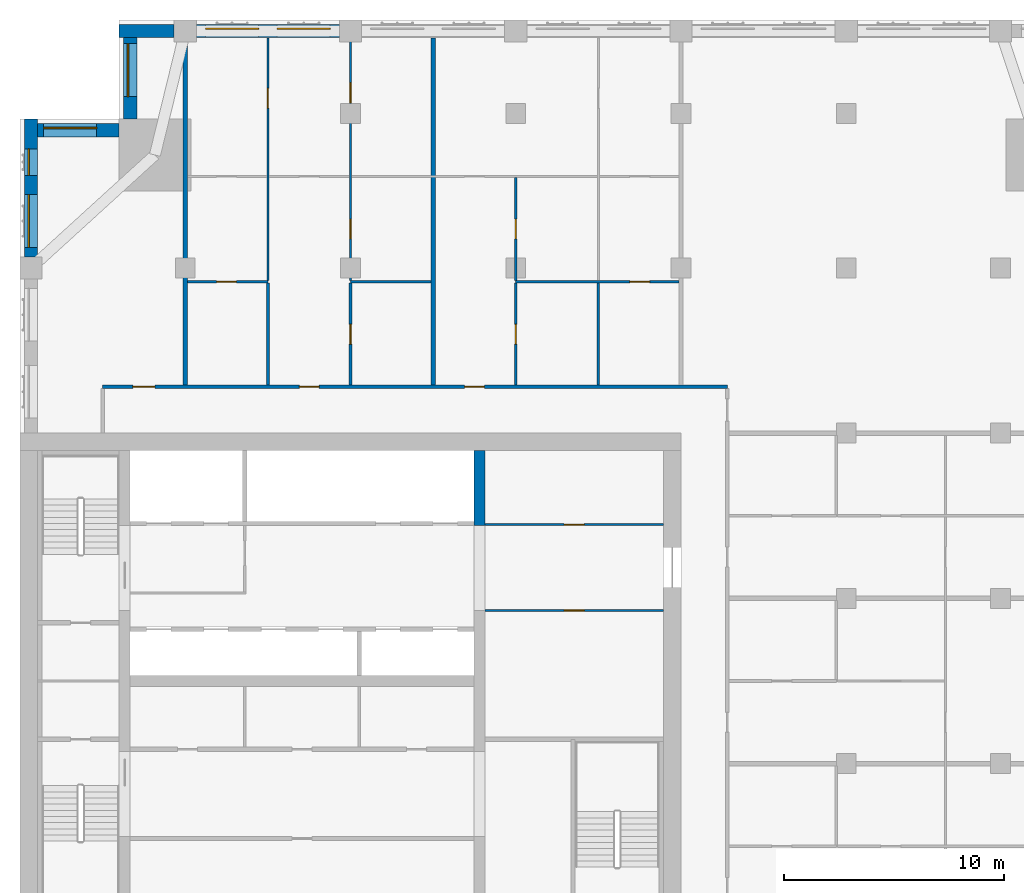
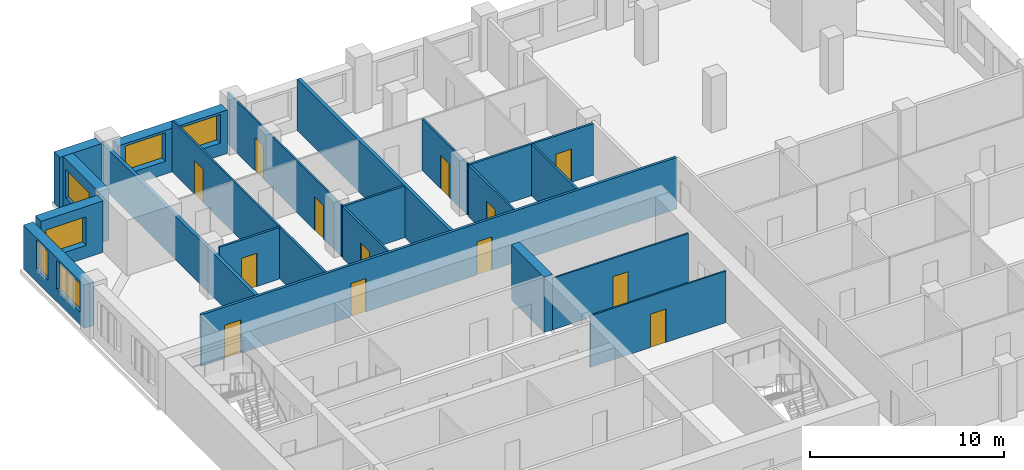
# One storey, part 10 of 14: 21 walls, 13 doors, 6 windows, 19 openings.
"""IFC4 building model written with IfcOpenShell, lengths in metres."""

from ifc_helpers import new_model, si_unit, direction, frame, frame_2d, origin, place, context, subcontext, project, spatial, rectangle, extrude, material, layer, layer_set, type_object, element, fill, save


model = new_model("IFC4")

# Units and contexts
model_context = context("Model", 3, precision=1e-05, world=origin(), true_north=direction((0.0, 1.0)))
body_context = subcontext(model_context, "Body", "Model", "MODEL_VIEW")
ifc_project = project(units=[si_unit("LENGTHUNIT", "METRE"), si_unit("AREAUNIT", "SQUARE_METRE"), si_unit("VOLUMEUNIT", "CUBIC_METRE"), si_unit("PLANEANGLEUNIT", "RADIAN"), si_unit("MASSUNIT", "GRAM", prefix="KILO")], contexts=[model_context])

# Site, building, storey
site_placement = place(None, origin())
site = spatial("IfcSite", under=ifc_project, at=site_placement, CompositionType="ELEMENT")
building_placement = place(site_placement, origin())
building = spatial("IfcBuilding", under=site, at=building_placement, Name="Tamorin Gate", CompositionType="ELEMENT")
storey_placement = place(building_placement, frame((0.0, 0.0, 182.699951171875)))
storey = spatial("IfcBuildingStorey", under=building, at=storey_placement, Name="L44", CompositionType="ELEMENT", Elevation=182.699951171875)

# Wall, openings, windows
ifc_material_1 = material(Name="Precast concrete C40/50", Category="concrete")
ifc_layer_1 = layer(ifc_material_1, 0.60009765625)
ifc_layer_set_1 = layer_set([ifc_layer_1], Name="Precast concrete C40/50")
wall_type_1 = type_object("IfcWallType", Name="Board-marked concrete facade panel 600", PredefinedType="SOLIDWALL", material=ifc_layer_set_1)
wall_1_placement = place(storey_placement, frame((44.5, 100.75, 0.0), z_axis=(0.0, 0.0, 1.0), x_axis=(-1.0, 0.0, 0.0)))
wall_1 = element("IfcWall", 1, at=wall_1_placement, inside=storey, type_object=wall_type_1, Name="Facade panel", PredefinedType="SOLIDWALL", context=body_context, shape_type="SweptSolid", body=[
    extrude(rectangle(XDim=6.5, YDim=0.60009765625, at=frame_2d((3.25, 0.0))), origin(), (0.0, 0.0, 1.0), 2.75),
])
opening_1_placement = place(wall_1_placement, frame((3.675048828125, 0.0, 0.800048828125)))
opening_1 = element("IfcOpeningElement", 2, at=opening_1_placement, cuts=wall_1, Name="Opening WN1", PredefinedType="OPENING", context=body_context, shape_type="SweptSolid", body=[
    extrude(rectangle(XDim=2.39990234375, YDim=1.800048828125, at=frame_2d((1.199951171875, 0.89990234375))), frame((0.0, 0.31005859375, 0.0), z_axis=(0.0, -1.0, 0.0), x_axis=(1.0, 0.0, 0.0)), (0.0, 0.0, 1.0), 0.6201171875),
])
opening_2_placement = place(wall_1_placement, frame((0.425048828125, 0.0, 0.800048828125)))
opening_2 = element("IfcOpeningElement", 3, at=opening_2_placement, cuts=wall_1, Name="Opening WN1", PredefinedType="OPENING", context=body_context, shape_type="SweptSolid", body=[
    extrude(rectangle(XDim=2.39990234375, YDim=1.800048828125, at=frame_2d((1.199951171875, 0.89990234375))), frame((0.0, 0.31005859375, 0.0), z_axis=(0.0, -1.0, 0.0), x_axis=(1.0, 0.0, 0.0)), (0.0, 0.0, 1.0), 0.6201171875),
])
ifc_material_2 = material(Name="Clear glass in aluminium frame", Category="aluminium")
window_type_1 = type_object("IfcWindowType", Name="Deep-set window 2400x1800", PartitioningType="SINGLE_PANEL", PredefinedType="WINDOW", material=ifc_material_2)
window_1_placement = place(opening_1_placement, origin())
window_1 = element("IfcWindow", 4, at=window_1_placement, inside=storey, type_object=window_type_1, Name="Deep-set window", OverallHeight=1.800048828125, OverallWidth=2.39990234375, PartitioningType="SINGLE_PANEL", PredefinedType="WINDOW", context=body_context, shape_type="SweptSolid", body=[
    extrude(rectangle(XDim=2.39990234375, YDim=1.800048828125, at=frame_2d((1.199951171875, 0.89990234375))), frame((0.0, -0.070068359375, 0.0), z_axis=(0.0, -1.0, 0.0), x_axis=(1.0, 0.0, 0.0)), (0.0, 0.0, 1.0), 0.06005859375),
])
fill(opening_1, window_1)
window_2_placement = place(opening_2_placement, origin())
window_2 = element("IfcWindow", 5, at=window_2_placement, inside=storey, type_object=window_type_1, Name="Deep-set window", OverallHeight=1.800048828125, OverallWidth=2.39990234375, PartitioningType="SINGLE_PANEL", PredefinedType="WINDOW", context=body_context, shape_type="SweptSolid", body=[
    extrude(rectangle(XDim=2.39990234375, YDim=1.800048828125, at=frame_2d((1.199951171875, 0.89990234375))), frame((0.0, -0.070068359375, 0.0), z_axis=(0.0, -1.0, 0.0), x_axis=(1.0, 0.0, 0.0)), (0.0, 0.0, 1.0), 0.06005859375),
])
fill(opening_2, window_2)

# Wall
wall_2_placement = place(storey_placement, frame((37.0, 100.75, 0.0), z_axis=(0.0, 0.0, 1.0), x_axis=(-1.0, 0.0, 0.0)))
element("IfcWall", 6, at=wall_2_placement, inside=storey, type_object=wall_type_1, Name="Facade panel", PredefinedType="SOLIDWALL", context=body_context, shape_type="SweptSolid", body=[
    extrude(rectangle(XDim=2.5, YDim=0.60009765625, at=frame_2d((1.25, 0.0))), origin(), (0.0, 0.0, 1.0), 3.25),
])

# Wall, opening, window
wall_3_placement = place(storey_placement, frame((35.0, 100.449951171875, 0.0), z_axis=(0.0, 0.0, 1.0), x_axis=(0.0, -1.0, 0.0)))
wall_3 = element("IfcWall", 7, at=wall_3_placement, inside=storey, type_object=wall_type_1, Name="Facade panel", PredefinedType="SOLIDWALL", context=body_context, shape_type="SweptSolid", body=[
    extrude(rectangle(XDim=3.699951171875, YDim=0.60009765625, at=frame_2d((1.85009765625, 0.0))), origin(), (0.0, 0.0, 1.0), 3.25),
])
opening_3_placement = place(wall_3_placement, frame((0.27490234375, 0.0, 0.800048828125)))
opening_3 = element("IfcOpeningElement", 8, at=opening_3_placement, cuts=wall_3, Name="Opening WN1", PredefinedType="OPENING", context=body_context, shape_type="SweptSolid", body=[
    extrude(rectangle(XDim=2.39990234375, YDim=1.800048828125, at=frame_2d((1.199951171875, 0.89990234375))), frame((0.0, 0.31005859375, 0.0), z_axis=(0.0, -1.0, 0.0), x_axis=(1.0, 0.0, 0.0)), (0.0, 0.0, 1.0), 0.6201171875),
])
window_3_placement = place(opening_3_placement, origin())
window_3 = element("IfcWindow", 9, at=window_3_placement, inside=storey, type_object=window_type_1, Name="Deep-set window", OverallHeight=1.800048828125, OverallWidth=2.39990234375, PartitioningType="SINGLE_PANEL", PredefinedType="WINDOW", context=body_context, shape_type="SweptSolid", body=[
    extrude(rectangle(XDim=2.39990234375, YDim=1.800048828125, at=frame_2d((1.199951171875, 0.89990234375))), frame((0.0, -0.070068359375, 0.0), z_axis=(0.0, -1.0, 0.0), x_axis=(1.0, 0.0, 0.0)), (0.0, 0.0, 1.0), 0.06005859375),
])
fill(opening_3, window_3)

wall_4_placement = place(storey_placement, frame((34.5, 96.25, 0.0), z_axis=(0.0, 0.0, 1.0), x_axis=(-1.0, 0.0, 0.0)))
wall_4 = element("IfcWall", 10, at=wall_4_placement, inside=storey, type_object=wall_type_1, Name="Facade panel", PredefinedType="SOLIDWALL", context=body_context, shape_type="SweptSolid", body=[
    extrude(rectangle(XDim=3.699951171875, YDim=0.60009765625, at=frame_2d((1.85009765625, 0.0))), origin(), (0.0, 0.0, 1.0), 3.25),
])
opening_4_placement = place(wall_4_placement, frame((1.02490234375, 0.0, 0.800048828125)))
opening_4 = element("IfcOpeningElement", 11, at=opening_4_placement, cuts=wall_4, Name="Opening WN1", PredefinedType="OPENING", context=body_context, shape_type="SweptSolid", body=[
    extrude(rectangle(XDim=2.39990234375, YDim=1.800048828125, at=frame_2d((1.199951171875, 0.89990234375))), frame((0.0, 0.31005859375, 0.0), z_axis=(0.0, -1.0, 0.0), x_axis=(1.0, 0.0, 0.0)), (0.0, 0.0, 1.0), 0.6201171875),
])
window_4_placement = place(opening_4_placement, origin())
window_4 = element("IfcWindow", 12, at=window_4_placement, inside=storey, type_object=window_type_1, Name="Deep-set window", OverallHeight=1.800048828125, OverallWidth=2.39990234375, PartitioningType="SINGLE_PANEL", PredefinedType="WINDOW", context=body_context, shape_type="SweptSolid", body=[
    extrude(rectangle(XDim=2.39990234375, YDim=1.800048828125, at=frame_2d((1.199951171875, 0.89990234375))), frame((0.0, -0.070068359375, 0.0), z_axis=(0.0, -1.0, 0.0), x_axis=(1.0, 0.0, 0.0)), (0.0, 0.0, 1.0), 0.06005859375),
])
fill(opening_4, window_4)

# Wall, openings, windows
wall_5_placement = place(storey_placement, frame((30.5, 96.75, 0.0), z_axis=(0.0, 0.0, 1.0), x_axis=(0.0, -1.0, 0.0)))
wall_5 = element("IfcWall", 13, at=wall_5_placement, inside=storey, type_object=wall_type_1, Name="Facade panel", PredefinedType="SOLIDWALL", context=body_context, shape_type="SweptSolid", body=[
    extrude(rectangle(XDim=6.25, YDim=0.60009765625, at=frame_2d((3.125, 0.0))), origin(), (0.0, 0.0, 1.0), 2.75),
])
opening_5_placement = place(wall_5_placement, frame((3.425048828125, 0.0, 0.800048828125)))
opening_5 = element("IfcOpeningElement", 14, at=opening_5_placement, cuts=wall_5, Name="Opening WN1", PredefinedType="OPENING", context=body_context, shape_type="SweptSolid", body=[
    extrude(rectangle(XDim=2.39990234375, YDim=1.800048828125, at=frame_2d((1.199951171875, 0.89990234375))), frame((0.0, 0.31005859375, 0.0), z_axis=(0.0, -1.0, 0.0), x_axis=(1.0, 0.0, 0.0)), (0.0, 0.0, 1.0), 0.6201171875),
])
opening_6_placement = place(wall_5_placement, frame((1.35009765625, 0.0, 0.800048828125)))
opening_6 = element("IfcOpeningElement", 15, at=opening_6_placement, cuts=wall_5, Name="Opening WN3", PredefinedType="OPENING", context=body_context, shape_type="SweptSolid", body=[
    extrude(rectangle(XDim=1.199951171875, YDim=1.800048828125, at=frame_2d((0.60009765625, 0.89990234375))), frame((0.0, 0.31005859375, 0.0), z_axis=(0.0, -1.0, 0.0), x_axis=(1.0, 0.0, 0.0)), (0.0, 0.0, 1.0), 0.6201171875),
])
window_type_2 = type_object("IfcWindowType", Name="Deep-set window 1200x1800", PartitioningType="SINGLE_PANEL", PredefinedType="WINDOW", material=ifc_material_2)
window_5_placement = place(opening_6_placement, origin())
window_5 = element("IfcWindow", 16, at=window_5_placement, inside=storey, type_object=window_type_2, Name="Deep-set window", OverallHeight=1.800048828125, OverallWidth=1.199951171875, PartitioningType="SINGLE_PANEL", PredefinedType="WINDOW", context=body_context, shape_type="SweptSolid", body=[
    extrude(rectangle(XDim=1.199951171875, YDim=1.800048828125, at=frame_2d((0.60009765625, 0.89990234375))), frame((0.0, -0.070068359375, 0.0), z_axis=(0.0, -1.0, 0.0), x_axis=(1.0, 0.0, 0.0)), (0.0, 0.0, 1.0), 0.06005859375),
])
fill(opening_6, window_5)
window_6_placement = place(opening_5_placement, origin())
window_6 = element("IfcWindow", 17, at=window_6_placement, inside=storey, type_object=window_type_1, Name="Deep-set window", OverallHeight=1.800048828125, OverallWidth=2.39990234375, PartitioningType="SINGLE_PANEL", PredefinedType="WINDOW", context=body_context, shape_type="SweptSolid", body=[
    extrude(rectangle(XDim=2.39990234375, YDim=1.800048828125, at=frame_2d((1.199951171875, 0.89990234375))), frame((0.0, -0.070068359375, 0.0), z_axis=(0.0, -1.0, 0.0), x_axis=(1.0, 0.0, 0.0)), (0.0, 0.0, 1.0), 0.06005859375),
])
fill(opening_5, window_6)

# Wall, openings, doors
ifc_material_3 = material(Name="Gypsum board partition")
ifc_layer_2 = layer(ifc_material_3, 0.14990234375)
ifc_layer_set_2 = layer_set([ifc_layer_2], Name="Corridor wall 150")
wall_type_2 = type_object("IfcWallType", Name="Corridor wall 150", PredefinedType="PARTITIONING", material=ifc_layer_set_2)
wall_6_placement = place(storey_placement, frame((33.75, 84.60009765625, 0.0), z_axis=(0.0, 0.0, 1.0), x_axis=(1.0, 0.0, 0.0)))
wall_6 = element("IfcWall", 18, at=wall_6_placement, inside=storey, type_object=wall_type_2, Name="Corridor wall 150", PredefinedType="PARTITIONING", context=body_context, shape_type="SweptSolid", body=[
    extrude(rectangle(XDim=28.35009765625, YDim=0.14990234375, at=frame_2d((14.175048828125, 0.0))), origin(), (0.0, 0.0, 1.0), 3.25),
])
opening_7_placement = place(wall_6_placement, frame((1.375, 0.0, 0.0)))
opening_7 = element("IfcOpeningElement", 19, at=opening_7_placement, cuts=wall_6, Name="Opening DR2019", PredefinedType="OPENING", context=body_context, shape_type="SweptSolid", body=[
    extrude(rectangle(XDim=1.0, YDim=2.10009765625, at=frame_2d((0.5, 1.050048828125))), frame((0.0, 0.0849609375, 0.0), z_axis=(0.0, -1.0, 0.0), x_axis=(1.0, 0.0, 0.0)), (0.0, 0.0, 1.0), 0.169921875),
])
opening_8_placement = place(wall_6_placement, frame((8.925048828125, 0.0, 0.0)))
opening_8 = element("IfcOpeningElement", 20, at=opening_8_placement, cuts=wall_6, Name="Opening DR2022", PredefinedType="OPENING", context=body_context, shape_type="SweptSolid", body=[
    extrude(rectangle(XDim=0.89990234375, YDim=2.10009765625, at=frame_2d((0.449951171875, 1.050048828125))), frame((0.0, 0.0849609375, 0.0), z_axis=(0.0, -1.0, 0.0), x_axis=(1.0, 0.0, 0.0)), (0.0, 0.0, 1.0), 0.169921875),
])
opening_9_placement = place(wall_6_placement, frame((16.425048828125, 0.0, 0.0)))
opening_9 = element("IfcOpeningElement", 21, at=opening_9_placement, cuts=wall_6, Name="Opening DR2028", PredefinedType="OPENING", context=body_context, shape_type="SweptSolid", body=[
    extrude(rectangle(XDim=0.89990234375, YDim=2.10009765625, at=frame_2d((0.449951171875, 1.050048828125))), frame((0.0, 0.0849609375, 0.0), z_axis=(0.0, -1.0, 0.0), x_axis=(1.0, 0.0, 0.0)), (0.0, 0.0, 1.0), 0.169921875),
])
ifc_material_4 = material(Name="Timber door leaf", Category="wood")
door_type_1 = type_object("IfcDoorType", Name="Door 1000 x 2100 FD30S", OperationType="NOTDEFINED", PredefinedType="DOOR", material=ifc_material_4)
door_1_placement = place(opening_7_placement, origin())
door_1 = element("IfcDoor", 22, at=door_1_placement, inside=storey, type_object=door_type_1, Name="Door DR2019", OperationType="SINGLE_SWING_LEFT", OverallHeight=2.10009765625, OverallWidth=1.0, PredefinedType="DOOR", context=body_context, shape_type="SweptSolid", body=[
    extrude(rectangle(XDim=1.0, YDim=2.10009765625, at=frame_2d((0.5, 1.050048828125))), frame((0.0, 0.02490234375, 0.0), z_axis=(0.0, -1.0, 0.0), x_axis=(1.0, 0.0, 0.0)), (0.0, 0.0, 1.0), 0.050048828125),
])
fill(opening_7, door_1)
door_type_2 = type_object("IfcDoorType", Name="Door 900 x 2100 FD30S", OperationType="NOTDEFINED", PredefinedType="DOOR", material=ifc_material_4)
door_2_placement = place(opening_8_placement, origin())
door_2 = element("IfcDoor", 23, at=door_2_placement, inside=storey, type_object=door_type_2, Name="Door DR2022", OperationType="SINGLE_SWING_LEFT", OverallHeight=2.10009765625, OverallWidth=0.89990234375, PredefinedType="DOOR", context=body_context, shape_type="SweptSolid", body=[
    extrude(rectangle(XDim=0.89990234375, YDim=2.10009765625, at=frame_2d((0.449951171875, 1.050048828125))), frame((0.0, 0.02490234375, 0.0), z_axis=(0.0, -1.0, 0.0), x_axis=(1.0, 0.0, 0.0)), (0.0, 0.0, 1.0), 0.050048828125),
])
fill(opening_8, door_2)
door_3_placement = place(opening_9_placement, origin())
door_3 = element("IfcDoor", 24, at=door_3_placement, inside=storey, type_object=door_type_2, Name="Door DR2028", OperationType="SINGLE_SWING_LEFT", OverallHeight=2.10009765625, OverallWidth=0.89990234375, PredefinedType="DOOR", context=body_context, shape_type="SweptSolid", body=[
    extrude(rectangle(XDim=0.89990234375, YDim=2.10009765625, at=frame_2d((0.449951171875, 1.050048828125))), frame((0.0, 0.02490234375, 0.0), z_axis=(0.0, -1.0, 0.0), x_axis=(1.0, 0.0, 0.0)), (0.0, 0.0, 1.0), 0.050048828125),
])
fill(opening_9, door_3)

# Walls
ifc_layer_3 = layer(ifc_material_3, 0.199951171875)
ifc_layer_set_3 = layer_set([ifc_layer_3], Name="Demising wall 200")
wall_type_3 = type_object("IfcWallType", Name="Demising wall 200", PredefinedType="PARTITIONING", material=ifc_layer_set_3)
wall_7_placement = place(storey_placement, frame((37.5, 84.675048828125, 0.0), z_axis=(0.0, 0.0, 1.0), x_axis=(0.0, 1.0, 0.0)))
element("IfcWall", 25, at=wall_7_placement, inside=storey, type_object=wall_type_3, Name="Demising wall 200", PredefinedType="PARTITIONING", context=body_context, shape_type="SweptSolid", body=[
    extrude(rectangle(XDim=16.574951171875, YDim=0.199951171875, at=frame_2d((8.28759765625, 0.0))), origin(), (0.0, 0.0, 1.0), 2.75),
])
wall_8_placement = place(storey_placement, frame((48.75, 84.675048828125, 0.0), z_axis=(0.0, 0.0, 1.0), x_axis=(0.0, 1.0, 0.0)))
element("IfcWall", 26, at=wall_8_placement, inside=storey, type_object=wall_type_3, Name="Demising wall 200", PredefinedType="PARTITIONING", context=body_context, shape_type="SweptSolid", body=[
    extrude(rectangle(XDim=15.764892578125, YDim=0.199951171875, at=frame_2d((7.88232421875, 0.0))), origin(), (0.0, 0.0, 1.0), 3.25),
])
ifc_material_5 = material(Name="Concrete C60/75", Category="concrete")
ifc_layer_4 = layer(ifc_material_5, 0.5)
ifc_layer_set_4 = layer_set([ifc_layer_4], Name="RC core internal wall 500 C60/75")
wall_type_4 = type_object("IfcWallType", Name="RC core internal wall 500 C60/75", PredefinedType="SHEAR", material=ifc_layer_set_4)
wall_9_placement = place(storey_placement, frame((50.85009765625, 78.300048828125, 0.0), z_axis=(0.0, 0.0, 1.0), x_axis=(0.0, 1.0, 0.0)))
element("IfcWall", 27, at=wall_9_placement, inside=storey, type_object=wall_type_4, Name="Core cross wall L44", PredefinedType="SHEAR", context=body_context, shape_type="SweptSolid", body=[
    extrude(rectangle(XDim=3.39990234375, YDim=0.5, at=frame_2d((1.699951171875, 0.0))), origin(), (0.0, 0.0, 1.0), 3.5),
])

# Wall, opening, door
ifc_layer_5 = layer(ifc_material_3, 0.10009765625)
ifc_layer_set_5 = layer_set([ifc_layer_5], Name="Room partition 100")
wall_type_5 = type_object("IfcWallType", Name="Room partition 100", PredefinedType="PARTITIONING", material=ifc_layer_set_5)
wall_10_placement = place(storey_placement, frame((41.25, 89.4375, 0.0), z_axis=(0.0, 0.0, 1.0), x_axis=(0.0, 1.0, 0.0)))
wall_10 = element("IfcWall", 28, at=wall_10_placement, inside=storey, type_object=wall_type_5, Name="Room partition 100", PredefinedType="PARTITIONING", context=body_context, shape_type="SweptSolid", body=[
    extrude(rectangle(XDim=11.00244140625, YDim=0.10009765625, at=frame_2d((5.501220703125, 0.0))), origin(), (0.0, 0.0, 1.0), 3.25),
])
opening_10_placement = place(wall_10_placement, frame((7.8125, 0.0, 0.0)))
opening_10 = element("IfcOpeningElement", 29, at=opening_10_placement, cuts=wall_10, Name="Opening DR2026", PredefinedType="OPENING", context=body_context, shape_type="SweptSolid", body=[
    extrude(rectangle(XDim=0.89990234375, YDim=2.10009765625, at=frame_2d((0.449951171875, 1.050048828125))), frame((0.0, 0.06005859375, 0.0), z_axis=(0.0, -1.0, 0.0), x_axis=(1.0, 0.0, 0.0)), (0.0, 0.0, 1.0), 0.1201171875),
])
door_type_3 = type_object("IfcDoorType", Name="Door 900 x 2100", OperationType="NOTDEFINED", PredefinedType="DOOR", material=ifc_material_4)
door_4_placement = place(opening_10_placement, origin())
door_4 = element("IfcDoor", 30, at=door_4_placement, inside=storey, type_object=door_type_3, Name="Door DR2026", OperationType="SINGLE_SWING_RIGHT", OverallHeight=2.10009765625, OverallWidth=0.89990234375, PredefinedType="DOOR", context=body_context, shape_type="SweptSolid", body=[
    extrude(rectangle(XDim=0.89990234375, YDim=2.10009765625, at=frame_2d((0.449951171875, 1.050048828125))), frame((0.0, 0.02490234375, 0.0), z_axis=(0.0, -1.0, 0.0), x_axis=(1.0, 0.0, 0.0)), (0.0, 0.0, 1.0), 0.050048828125),
])
fill(opening_10, door_4)

# Wall, openings, doors
wall_11_placement = place(storey_placement, frame((45.0, 89.4375, 0.0), z_axis=(0.0, 0.0, 1.0), x_axis=(0.0, 1.0, 0.0)))
wall_11 = element("IfcWall", 31, at=wall_11_placement, inside=storey, type_object=wall_type_5, Name="Room partition 100", PredefinedType="PARTITIONING", context=body_context, shape_type="SweptSolid", body=[
    extrude(rectangle(XDim=11.8125, YDim=0.10009765625, at=frame_2d((5.90625, 0.0))), origin(), (0.0, 0.0, 1.0), 3.25),
])
opening_11_placement = place(wall_11_placement, frame((1.875, 0.0, 0.0)))
opening_11 = element("IfcOpeningElement", 32, at=opening_11_placement, cuts=wall_11, Name="Opening DR2024", PredefinedType="OPENING", context=body_context, shape_type="SweptSolid", body=[
    extrude(rectangle(XDim=0.89990234375, YDim=2.10009765625, at=frame_2d((0.449951171875, 1.050048828125))), frame((0.0, 0.06005859375, 0.0), z_axis=(0.0, -1.0, 0.0), x_axis=(1.0, 0.0, 0.0)), (0.0, 0.0, 1.0), 0.1201171875),
])
opening_12_placement = place(wall_11_placement, frame((8.0625, 0.0, 0.0)))
opening_12 = element("IfcOpeningElement", 33, at=opening_12_placement, cuts=wall_11, Name="Opening DR2027", PredefinedType="OPENING", context=body_context, shape_type="SweptSolid", body=[
    extrude(rectangle(XDim=0.89990234375, YDim=2.10009765625, at=frame_2d((0.449951171875, 1.050048828125))), frame((0.0, 0.06005859375, 0.0), z_axis=(0.0, -1.0, 0.0), x_axis=(1.0, 0.0, 0.0)), (0.0, 0.0, 1.0), 0.1201171875),
])
door_5_placement = place(opening_11_placement, origin())
door_5 = element("IfcDoor", 34, at=door_5_placement, inside=storey, type_object=door_type_3, Name="Door DR2024", OperationType="SINGLE_SWING_LEFT", OverallHeight=2.10009765625, OverallWidth=0.89990234375, PredefinedType="DOOR", context=body_context, shape_type="SweptSolid", body=[
    extrude(rectangle(XDim=0.89990234375, YDim=2.10009765625, at=frame_2d((0.449951171875, 1.050048828125))), frame((0.0, 0.02490234375, 0.0), z_axis=(0.0, -1.0, 0.0), x_axis=(1.0, 0.0, 0.0)), (0.0, 0.0, 1.0), 0.050048828125),
])
fill(opening_11, door_5)
door_6_placement = place(opening_12_placement, origin())
door_6 = element("IfcDoor", 35, at=door_6_placement, inside=storey, type_object=door_type_3, Name="Door DR2027", OperationType="SINGLE_SWING_RIGHT", OverallHeight=2.10009765625, OverallWidth=0.89990234375, PredefinedType="DOOR", context=body_context, shape_type="SweptSolid", body=[
    extrude(rectangle(XDim=0.89990234375, YDim=2.10009765625, at=frame_2d((0.449951171875, 1.050048828125))), frame((0.0, 0.02490234375, 0.0), z_axis=(0.0, -1.0, 0.0), x_axis=(1.0, 0.0, 0.0)), (0.0, 0.0, 1.0), 0.050048828125),
])
fill(opening_12, door_6)

# Wall, opening, door
wall_12_placement = place(storey_placement, frame((52.5, 89.4375, 0.0), z_axis=(0.0, 0.0, 1.0), x_axis=(0.0, 1.0, 0.0)))
wall_12 = element("IfcWall", 36, at=wall_12_placement, inside=storey, type_object=wall_type_5, Name="Room partition 100", PredefinedType="PARTITIONING", context=body_context, shape_type="SweptSolid", body=[
    extrude(rectangle(XDim=4.66259765625, YDim=0.10009765625, at=frame_2d((2.331298828125, 0.0))), origin(), (0.0, 0.0, 1.0), 3.25),
])
opening_13_placement = place(wall_12_placement, frame((1.875, 0.0, 0.0)))
opening_13 = element("IfcOpeningElement", 37, at=opening_13_placement, cuts=wall_12, Name="Opening DR2030", PredefinedType="OPENING", context=body_context, shape_type="SweptSolid", body=[
    extrude(rectangle(XDim=0.89990234375, YDim=2.10009765625, at=frame_2d((0.449951171875, 1.050048828125))), frame((0.0, 0.06005859375, 0.0), z_axis=(0.0, -1.0, 0.0), x_axis=(1.0, 0.0, 0.0)), (0.0, 0.0, 1.0), 0.1201171875),
])
door_7_placement = place(opening_13_placement, origin())
door_7 = element("IfcDoor", 38, at=door_7_placement, inside=storey, type_object=door_type_3, Name="Door DR2030", OperationType="SINGLE_SWING_LEFT", OverallHeight=2.10009765625, OverallWidth=0.89990234375, PredefinedType="DOOR", context=body_context, shape_type="SweptSolid", body=[
    extrude(rectangle(XDim=0.89990234375, YDim=2.10009765625, at=frame_2d((0.449951171875, 1.050048828125))), frame((0.0, 0.02490234375, 0.0), z_axis=(0.0, -1.0, 0.0), x_axis=(1.0, 0.0, 0.0)), (0.0, 0.0, 1.0), 0.050048828125),
])
fill(opening_13, door_7)

ifc_layer_6 = layer(ifc_material_3, 0.10009765625)
ifc_layer_set_6 = layer_set([ifc_layer_6], Name="Service room partition 100 EI 60")
wall_type_6 = type_object("IfcWallType", Name="Service room partition 100 EI 60", PredefinedType="PARTITIONING", material=ifc_layer_set_6)
wall_13_placement = place(storey_placement, frame((51.10009765625, 74.449951171875, 0.0), z_axis=(0.0, 0.0, 1.0), x_axis=(1.0, 0.0, 0.0)))
wall_13 = element("IfcWall", 39, at=wall_13_placement, inside=storey, type_object=wall_type_6, Name="Service room wall", PredefinedType="PARTITIONING", context=body_context, shape_type="SweptSolid", body=[
    extrude(rectangle(XDim=8.099853515625, YDim=0.10009765625, at=frame_2d((4.0498046875, 0.0))), origin(), (0.0, 0.0, 1.0), 3.25),
])
opening_14_placement = place(wall_13_placement, frame((3.60009765625, 0.0, 0.0)))
opening_14 = element("IfcOpeningElement", 40, at=opening_14_placement, cuts=wall_13, Name="Opening DR1", PredefinedType="OPENING", context=body_context, shape_type="SweptSolid", body=[
    extrude(rectangle(XDim=0.89990234375, YDim=2.10009765625, at=frame_2d((0.449951171875, 1.050048828125))), frame((0.0, 0.06005859375, 0.0), z_axis=(0.0, -1.0, 0.0), x_axis=(1.0, 0.0, 0.0)), (0.0, 0.0, 1.0), 0.1201171875),
])
ifc_material_6 = material(Name="Steel fire door", Category="steel")
door_type_4 = type_object("IfcDoorType", Name="Riser access door 900 x 2100 EI 120", OperationType="SINGLE_SWING_LEFT", PredefinedType="DOOR", material=ifc_material_6)
door_8_placement = place(opening_14_placement, origin())
door_8 = element("IfcDoor", 41, at=door_8_placement, inside=storey, type_object=door_type_4, Name="Duct riser door", OperationType="SINGLE_SWING_RIGHT", OverallHeight=2.10009765625, OverallWidth=0.89990234375, PredefinedType="DOOR", context=body_context, shape_type="SweptSolid", body=[
    extrude(rectangle(XDim=0.89990234375, YDim=2.10009765625, at=frame_2d((0.449951171875, 1.050048828125))), frame((0.0, 0.02490234375, 0.0), z_axis=(0.0, -1.0, 0.0), x_axis=(1.0, 0.0, 0.0)), (0.0, 0.0, 1.0), 0.050048828125),
])
fill(opening_14, door_8)

wall_14_placement = place(storey_placement, frame((51.10009765625, 78.35009765625, 0.0), z_axis=(0.0, 0.0, 1.0), x_axis=(1.0, 0.0, 0.0)))
wall_14 = element("IfcWall", 42, at=wall_14_placement, inside=storey, type_object=wall_type_6, Name="Service room wall", PredefinedType="PARTITIONING", context=body_context, shape_type="SweptSolid", body=[
    extrude(rectangle(XDim=8.099853515625, YDim=0.10009765625, at=frame_2d((4.0498046875, 0.0))), origin(), (0.0, 0.0, 1.0), 3.25),
])
opening_15_placement = place(wall_14_placement, frame((3.60009765625, 0.0, 0.0)))
opening_15 = element("IfcOpeningElement", 43, at=opening_15_placement, cuts=wall_14, Name="Opening DK1", PredefinedType="OPENING", context=body_context, shape_type="SweptSolid", body=[
    extrude(rectangle(XDim=0.89990234375, YDim=2.10009765625, at=frame_2d((0.449951171875, 1.050048828125))), frame((0.0, 0.06005859375, 0.0), z_axis=(0.0, -1.0, 0.0), x_axis=(1.0, 0.0, 0.0)), (0.0, 0.0, 1.0), 0.1201171875),
])
ifc_material_7 = material(Name="Timber fire door", Category="wood")
door_type_5 = type_object("IfcDoorType", Name="Service room door 900 x 2100 EI 60", OperationType="SINGLE_SWING_LEFT", PredefinedType="DOOR", material=ifc_material_7)
door_9_placement = place(opening_15_placement, origin())
door_9 = element("IfcDoor", 44, at=door_9_placement, inside=storey, type_object=door_type_5, Name="Door Store", OperationType="SINGLE_SWING_RIGHT", OverallHeight=2.10009765625, OverallWidth=0.89990234375, PredefinedType="DOOR", context=body_context, shape_type="SweptSolid", body=[
    extrude(rectangle(XDim=0.89990234375, YDim=2.10009765625, at=frame_2d((0.449951171875, 1.050048828125))), frame((0.0, 0.02490234375, 0.0), z_axis=(0.0, -1.0, 0.0), x_axis=(1.0, 0.0, 0.0)), (0.0, 0.0, 1.0), 0.050048828125),
])
fill(opening_15, door_9)

ifc_layer_7 = layer(ifc_material_3, 0.125)
ifc_layer_set_7 = layer_set([ifc_layer_7], Name="Wet wall 125")
wall_type_7 = type_object("IfcWallType", Name="Wet wall 125", PredefinedType="PARTITIONING", material=ifc_layer_set_7)
wall_15_placement = place(storey_placement, frame((37.60009765625, 89.375, 0.0), z_axis=(0.0, 0.0, 1.0), x_axis=(1.0, 0.0, 0.0)))
wall_15 = element("IfcWall", 45, at=wall_15_placement, inside=storey, type_object=wall_type_7, Name="Wet wall 125", PredefinedType="PARTITIONING", context=body_context, shape_type="SweptSolid", body=[
    extrude(rectangle(XDim=3.64990234375, YDim=0.125, at=frame_2d((1.824951171875, 0.0))), origin(), (0.0, 0.0, 1.0), 3.25),
])
opening_16_placement = place(wall_15_placement, frame((1.324951171875, 0.0, 0.0)))
opening_16 = element("IfcOpeningElement", 46, at=opening_16_placement, cuts=wall_15, Name="Opening DR2021", PredefinedType="OPENING", context=body_context, shape_type="SweptSolid", body=[
    extrude(rectangle(XDim=0.89990234375, YDim=2.10009765625, at=frame_2d((0.449951171875, 1.050048828125))), frame((0.0, 0.072509765625, 0.0), z_axis=(0.0, -1.0, 0.0), x_axis=(1.0, 0.0, 0.0)), (0.0, 0.0, 1.0), 0.14501953125),
])
door_10_placement = place(opening_16_placement, origin())
door_10 = element("IfcDoor", 47, at=door_10_placement, inside=storey, type_object=door_type_3, Name="Door DR2021", OperationType="SINGLE_SWING_RIGHT", OverallHeight=2.10009765625, OverallWidth=0.89990234375, PredefinedType="DOOR", context=body_context, shape_type="SweptSolid", body=[
    extrude(rectangle(XDim=0.89990234375, YDim=2.10009765625, at=frame_2d((0.449951171875, 1.050048828125))), frame((0.0, 0.02490234375, 0.0), z_axis=(0.0, -1.0, 0.0), x_axis=(1.0, 0.0, 0.0)), (0.0, 0.0, 1.0), 0.050048828125),
])
fill(opening_16, door_10)

# Wall
wall_16_placement = place(storey_placement, frame((45.0, 89.375, 0.0), z_axis=(0.0, 0.0, 1.0), x_axis=(1.0, 0.0, 0.0)))
element("IfcWall", 48, at=wall_16_placement, inside=storey, type_object=wall_type_7, Name="Wet wall 125", PredefinedType="PARTITIONING", context=body_context, shape_type="SweptSolid", body=[
    extrude(rectangle(XDim=3.64990234375, YDim=0.125, at=frame_2d((1.824951171875, 0.0))), origin(), (0.0, 0.0, 1.0), 3.25),
])

# Wall, opening, door
wall_17_placement = place(storey_placement, frame((52.5, 89.375, 0.0), z_axis=(0.0, 0.0, 1.0), x_axis=(1.0, 0.0, 0.0)))
wall_17 = element("IfcWall", 49, at=wall_17_placement, inside=storey, type_object=wall_type_7, Name="Wet wall 125", PredefinedType="PARTITIONING", context=body_context, shape_type="SweptSolid", body=[
    extrude(rectangle(XDim=7.39990234375, YDim=0.125, at=frame_2d((3.699951171875, 0.0))), origin(), (0.0, 0.0, 1.0), 3.25),
])
opening_17_placement = place(wall_17_placement, frame((5.175048828125, 0.0, 0.0)))
opening_17 = element("IfcOpeningElement", 50, at=opening_17_placement, cuts=wall_17, Name="Opening DR2033", PredefinedType="OPENING", context=body_context, shape_type="SweptSolid", body=[
    extrude(rectangle(XDim=0.89990234375, YDim=2.10009765625, at=frame_2d((0.449951171875, 1.050048828125))), frame((0.0, 0.072509765625, 0.0), z_axis=(0.0, -1.0, 0.0), x_axis=(1.0, 0.0, 0.0)), (0.0, 0.0, 1.0), 0.14501953125),
])
door_11_placement = place(opening_17_placement, origin())
door_11 = element("IfcDoor", 51, at=door_11_placement, inside=storey, type_object=door_type_3, Name="Door DR2033", OperationType="SINGLE_SWING_RIGHT", OverallHeight=2.10009765625, OverallWidth=0.89990234375, PredefinedType="DOOR", context=body_context, shape_type="SweptSolid", body=[
    extrude(rectangle(XDim=0.89990234375, YDim=2.10009765625, at=frame_2d((0.449951171875, 1.050048828125))), frame((0.0, 0.02490234375, 0.0), z_axis=(0.0, -1.0, 0.0), x_axis=(1.0, 0.0, 0.0)), (0.0, 0.0, 1.0), 0.050048828125),
])
fill(opening_17, door_11)

# Wall
wall_18_placement = place(storey_placement, frame((41.25, 84.675048828125, 0.0), z_axis=(0.0, 0.0, 1.0), x_axis=(0.0, 1.0, 0.0)))
element("IfcWall", 52, at=wall_18_placement, inside=storey, type_object=wall_type_7, Name="Wet wall 125", PredefinedType="PARTITIONING", context=body_context, shape_type="SweptSolid", body=[
    extrude(rectangle(XDim=4.637451171875, YDim=0.125, at=frame_2d((2.31884765625, 0.0))), origin(), (0.0, 0.0, 1.0), 3.25),
])

# Wall, opening, door
wall_19_placement = place(storey_placement, frame((45.0, 84.675048828125, 0.0), z_axis=(0.0, 0.0, 1.0), x_axis=(0.0, 1.0, 0.0)))
wall_19 = element("IfcWall", 53, at=wall_19_placement, inside=storey, type_object=wall_type_7, Name="Wet wall 125", PredefinedType="PARTITIONING", context=body_context, shape_type="SweptSolid", body=[
    extrude(rectangle(XDim=4.637451171875, YDim=0.125, at=frame_2d((2.31884765625, 0.0))), origin(), (0.0, 0.0, 1.0), 3.25),
])
opening_18_placement = place(wall_19_placement, frame((1.862548828125, 0.0, 0.0)))
opening_18 = element("IfcOpeningElement", 54, at=opening_18_placement, cuts=wall_19, Name="Opening DR2025", PredefinedType="OPENING", context=body_context, shape_type="SweptSolid", body=[
    extrude(rectangle(XDim=0.89990234375, YDim=2.10009765625, at=frame_2d((0.449951171875, 1.050048828125))), frame((0.0, 0.072509765625, 0.0), z_axis=(0.0, -1.0, 0.0), x_axis=(1.0, 0.0, 0.0)), (0.0, 0.0, 1.0), 0.14501953125),
])
door_12_placement = place(opening_18_placement, origin())
door_12 = element("IfcDoor", 55, at=door_12_placement, inside=storey, type_object=door_type_3, Name="Door DR2025", OperationType="SINGLE_SWING_RIGHT", OverallHeight=2.10009765625, OverallWidth=0.89990234375, PredefinedType="DOOR", context=body_context, shape_type="SweptSolid", body=[
    extrude(rectangle(XDim=0.89990234375, YDim=2.10009765625, at=frame_2d((0.449951171875, 1.050048828125))), frame((0.0, 0.02490234375, 0.0), z_axis=(0.0, -1.0, 0.0), x_axis=(1.0, 0.0, 0.0)), (0.0, 0.0, 1.0), 0.050048828125),
])
fill(opening_18, door_12)

wall_20_placement = place(storey_placement, frame((52.5, 84.675048828125, 0.0), z_axis=(0.0, 0.0, 1.0), x_axis=(0.0, 1.0, 0.0)))
wall_20 = element("IfcWall", 56, at=wall_20_placement, inside=storey, type_object=wall_type_7, Name="Wet wall 125", PredefinedType="PARTITIONING", context=body_context, shape_type="SweptSolid", body=[
    extrude(rectangle(XDim=4.637451171875, YDim=0.125, at=frame_2d((2.31884765625, 0.0))), origin(), (0.0, 0.0, 1.0), 3.25),
])
opening_19_placement = place(wall_20_placement, frame((1.862548828125, 0.0, 0.0)))
opening_19 = element("IfcOpeningElement", 57, at=opening_19_placement, cuts=wall_20, Name="Opening DR2031", PredefinedType="OPENING", context=body_context, shape_type="SweptSolid", body=[
    extrude(rectangle(XDim=0.89990234375, YDim=2.10009765625, at=frame_2d((0.449951171875, 1.050048828125))), frame((0.0, 0.072509765625, 0.0), z_axis=(0.0, -1.0, 0.0), x_axis=(1.0, 0.0, 0.0)), (0.0, 0.0, 1.0), 0.14501953125),
])
door_13_placement = place(opening_19_placement, origin())
door_13 = element("IfcDoor", 58, at=door_13_placement, inside=storey, type_object=door_type_3, Name="Door DR2031", OperationType="SINGLE_SWING_RIGHT", OverallHeight=2.10009765625, OverallWidth=0.89990234375, PredefinedType="DOOR", context=body_context, shape_type="SweptSolid", body=[
    extrude(rectangle(XDim=0.89990234375, YDim=2.10009765625, at=frame_2d((0.449951171875, 1.050048828125))), frame((0.0, 0.02490234375, 0.0), z_axis=(0.0, -1.0, 0.0), x_axis=(1.0, 0.0, 0.0)), (0.0, 0.0, 1.0), 0.050048828125),
])
fill(opening_19, door_13)

# Wall
wall_21_placement = place(storey_placement, frame((56.25, 84.675048828125, 0.0), z_axis=(0.0, 0.0, 1.0), x_axis=(0.0, 1.0, 0.0)))
element("IfcWall", 59, at=wall_21_placement, inside=storey, type_object=wall_type_7, Name="Wet wall 125", PredefinedType="PARTITIONING", context=body_context, shape_type="SweptSolid", body=[
    extrude(rectangle(XDim=4.637451171875, YDim=0.125, at=frame_2d((2.31884765625, 0.0))), origin(), (0.0, 0.0, 1.0), 3.25),
])

save(model, "model.ifc")
